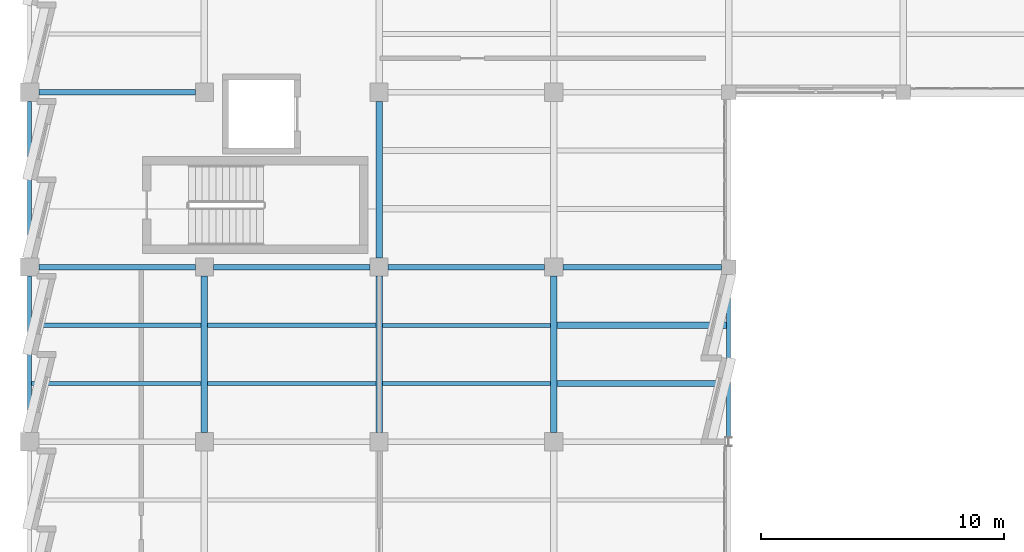
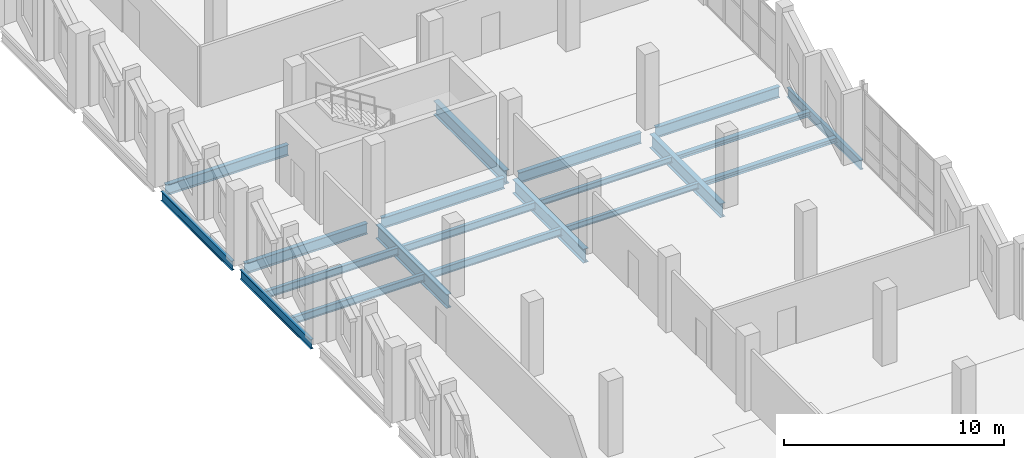
# One storey, part 39 of 94: 20 beams.
"""IFC4 building model written with IfcOpenShell, lengths in metres."""

from ifc_helpers import new_model, si_unit, direction, frame, origin, origin_2d, place, context, subcontext, project, spatial, i_section, extrude, material, material_profile, profile_set, type_object, element, save


model = new_model("IFC4")

# Units and contexts
model_context = context("Model", 3, precision=1e-05, world=origin(), true_north=direction((0.0, 1.0)))
body_context = subcontext(model_context, "Body", "Model", "MODEL_VIEW")
ifc_project = project(units=[si_unit("LENGTHUNIT", "METRE"), si_unit("AREAUNIT", "SQUARE_METRE"), si_unit("VOLUMEUNIT", "CUBIC_METRE"), si_unit("PLANEANGLEUNIT", "RADIAN"), si_unit("MASSUNIT", "GRAM", prefix="KILO")], contexts=[model_context])

# Site, building, storey
site_placement = place(None, origin())
site = spatial("IfcSite", under=ifc_project, at=site_placement, CompositionType="ELEMENT")
building_placement = place(site_placement, origin())
building = spatial("IfcBuilding", under=site, at=building_placement, Name="Kalmorath City Hall", CompositionType="ELEMENT")
storey_placement = place(building_placement, frame((0.0, 0.0, 14.699951171875)))
storey = spatial("IfcBuildingStorey", under=building, at=storey_placement, Name="L03", CompositionType="ELEMENT", Elevation=14.699951171875)

# Beams
ifc_material_1 = material(Name="Steel ASTM A992 Grade 50", Category="steel")
ifc_material_profile_1 = material_profile(ifc_material_1, i_section(OverallWidth=0.177001953125, OverallDepth=0.403076171875, WebThickness=0.007568359375, FlangeThickness=0.010986328125, FilletRadius=0.012939453125, at=origin_2d()), Name="W16X36")
ifc_profile_set_1 = profile_set([ifc_material_profile_1], Name="Steel ASTM A992 Grade 50")
beam_type_1 = type_object("IfcBeamType", Name="Steel composite joist W16X36", PredefinedType="JOIST", material=ifc_profile_set_1)
for number, where, z_axis, x_axis, name in (
    (1, (7.333984375, 81.60009765625, -0.46533203125), (1.0, 0.0, 0.0), (0.0, 1.0, 0.0), "L03 joist SJ7 2.12.1"),
    (2, (7.333984375, 84.0, -0.46533203125), (1.0, 0.0, 0.0), (0.0, 1.0, 0.0), "L03 joist SJ7 2.12.2"),
):
    element("IfcBeam", number, at=place(storey_placement, frame(where, z_axis=z_axis, x_axis=x_axis)), inside=storey, type_object=beam_type_1, Name=name, PredefinedType="JOIST", context=body_context, shape_type="SweptSolid", body=[
        extrude(i_section(OverallWidth=0.177001953125, OverallDepth=0.403076171875, WebThickness=0.007568359375, FlangeThickness=0.010986328125, FilletRadius=0.012939453125, at=origin_2d()), origin(), (0.0, 0.0, 1.0), 6.93212890625),
    ])
ifc_material_2 = material(Name="Steel ASTM A992 Grade 50", Category="steel")
ifc_material_profile_2 = material_profile(ifc_material_2, i_section(OverallWidth=0.178955078125, OverallDepth=0.409912109375, WebThickness=0.0087890625, FlangeThickness=0.014404296875, FilletRadius=0.012939453125, at=origin_2d()), Name="W16X45")
ifc_profile_set_2 = profile_set([ifc_material_profile_2], Name="Steel ASTM A992 Grade 50")
beam_type_2 = type_object("IfcBeamType", Name="Steel composite joist W16X45", PredefinedType="JOIST", material=ifc_profile_set_2)
for number, where, z_axis, x_axis, name in (
    (3, (0.08251953125, 81.60009765625, -0.468994140625), (1.0, 0.0, 0.0), (0.0, 1.0, 0.0), "L03 joist SJ6 1.12.1"),
    (4, (0.08251953125, 84.0, -0.468994140625), (1.0, 0.0, 0.0), (0.0, 1.0, 0.0), "L03 joist SJ6 1.12.2"),
):
    element("IfcBeam", number, at=place(storey_placement, frame(where, z_axis=z_axis, x_axis=x_axis)), inside=storey, type_object=beam_type_2, Name=name, PredefinedType="JOIST", context=body_context, shape_type="SweptSolid", body=[
        extrude(i_section(OverallWidth=0.178955078125, OverallDepth=0.409912109375, WebThickness=0.0087890625, FlangeThickness=0.014404296875, FilletRadius=0.012939453125, at=origin_2d()), origin(), (0.0, 0.0, 1.0), 6.9833984375),
    ])
ifc_material_3 = material(Name="Steel ASTM A992 Grade 50", Category="steel")
ifc_material_profile_3 = material_profile(ifc_material_3, i_section(OverallWidth=0.22802734375, OverallDepth=0.60302734375, WebThickness=0.010498046875, FlangeThickness=0.014892578125, FilletRadius=0.01611328125, at=origin_2d()), Name="W24X68")
ifc_profile_set_3 = profile_set([ifc_material_profile_3], Name="Steel ASTM A992 Grade 50")
beam_type_3 = type_object("IfcBeamType", Name="Steel floor girder W24X68", PredefinedType="BEAM", material=ifc_profile_set_3)
for number, where, z_axis, x_axis, name in (
    (5, (0.375, 86.39990234375, -0.5654296875), (1.0, 0.0, 0.0), (0.0, 1.0, 0.0), "L03 girder SG9 X1-2/13"),
    (6, (7.574951171875, 86.39990234375, -0.5654296875), (1.0, 0.0, 0.0), (0.0, 1.0, 0.0), "L03 girder SG9 X2-3/13"),
):
    element("IfcBeam", number, at=place(storey_placement, frame(where, z_axis=z_axis, x_axis=x_axis)), inside=storey, type_object=beam_type_3, Name=name, PredefinedType="BEAM", context=body_context, shape_type="SweptSolid", body=[
        extrude(i_section(OverallWidth=0.22802734375, OverallDepth=0.60302734375, WebThickness=0.010498046875, FlangeThickness=0.014892578125, FilletRadius=0.01611328125, at=origin_2d()), origin(), (0.0, 0.0, 1.0), 6.449951171875),
    ])
beam_1_placement = place(storey_placement, frame((14.77490234375, 86.39990234375, -0.5654296875), z_axis=(1.0, 0.0, 0.0), x_axis=(0.0, 1.0, 0.0)))
element("IfcBeam", 7, at=beam_1_placement, inside=storey, type_object=beam_type_3, Name="L03 girder SG9 X3-4/13", PredefinedType="BEAM", context=body_context, shape_type="SweptSolid", body=[
    extrude(i_section(OverallWidth=0.22802734375, OverallDepth=0.60302734375, WebThickness=0.010498046875, FlangeThickness=0.014892578125, FilletRadius=0.01611328125, at=origin_2d()), origin(), (0.0, 0.0, 1.0), 6.4501953125),
])
beam_2_placement = place(storey_placement, frame((21.97509765625, 86.39990234375, -0.5654296875), z_axis=(1.0, 0.0, 0.0), x_axis=(0.0, 1.0, 0.0)))
element("IfcBeam", 8, at=beam_2_placement, inside=storey, type_object=beam_type_3, Name="L03 girder SG9 X4-5/13", PredefinedType="BEAM", context=body_context, shape_type="SweptSolid", body=[
    extrude(i_section(OverallWidth=0.22802734375, OverallDepth=0.60302734375, WebThickness=0.010498046875, FlangeThickness=0.014892578125, FilletRadius=0.01611328125, at=origin_2d()), origin(), (0.0, 0.0, 1.0), 6.52490234375),
])
beam_3_placement = place(storey_placement, frame((0.375, 93.60009765625, -0.5654296875), z_axis=(1.0, 0.0, 0.0), x_axis=(0.0, 1.0, 0.0)))
element("IfcBeam", 9, at=beam_3_placement, inside=storey, type_object=beam_type_3, Name="L03 girder SG9 X1-2/14", PredefinedType="BEAM", context=body_context, shape_type="SweptSolid", body=[
    extrude(i_section(OverallWidth=0.22802734375, OverallDepth=0.60302734375, WebThickness=0.010498046875, FlangeThickness=0.014892578125, FilletRadius=0.01611328125, at=origin_2d()), origin(), (0.0, 0.0, 1.0), 6.449951171875),
])
ifc_material_4 = material(Name="Steel ASTM A992 Grade 50", Category="steel")
ifc_material_profile_4 = material_profile(ifc_material_4, i_section(OverallWidth=0.1669921875, OverallDepth=0.318115234375, WebThickness=0.007568359375, FlangeThickness=0.01318359375, FilletRadius=0.012939453125, at=origin_2d()), Name="W12X35")
ifc_profile_set_4 = profile_set([ifc_material_profile_4], Name="Steel ASTM A992 Grade 50")
beam_type_4 = type_object("IfcBeamType", Name="Steel header lintel W12X35", PredefinedType="LINTEL", material=ifc_profile_set_4)
for number, where, z_axis, x_axis, name in (
    (10, (14.533935546875, 81.60009765625, -0.4228515625), (1.0, 0.0, 0.0), (0.0, 1.0, 0.0), "L03 joist SJ13 3.12.1"),
    (11, (14.533935546875, 84.0, -0.4228515625), (1.0, 0.0, 0.0), (0.0, 1.0, 0.0), "L03 joist SJ13 3.12.2"),
):
    element("IfcBeam", number, at=place(storey_placement, frame(where, z_axis=z_axis, x_axis=x_axis)), inside=storey, type_object=beam_type_4, Name=name, PredefinedType="LINTEL", context=body_context, shape_type="SweptSolid", body=[
        extrude(i_section(OverallWidth=0.1669921875, OverallDepth=0.318115234375, WebThickness=0.007568359375, FlangeThickness=0.01318359375, FilletRadius=0.012939453125, at=origin_2d()), origin(), (0.0, 0.0, 1.0), 6.93212890625),
    ])
ifc_material_5 = material(Name="Steel ASTM A992 Grade 50", Category="steel")
ifc_material_profile_5 = material_profile(ifc_material_5, i_section(OverallWidth=0.26806640625, OverallDepth=0.77001953125, WebThickness=0.015625, FlangeThickness=0.025390625, FilletRadius=0.02001953125, at=origin_2d()), Name="W30X132")
ifc_profile_set_5 = profile_set([ifc_material_profile_5], Name="Steel ASTM A992 Grade 50")
beam_type_5 = type_object("IfcBeamType", Name="Steel primary girder W30X132", PredefinedType="BEAM", material=ifc_profile_set_5)
for number, where, z_axis, x_axis, name in (
    (12, (7.199951171875, 79.574951171875, -0.64892578125), (0.0, 1.0, 0.0), (-1.0, 0.0, 0.0), "L03 girder SG3 Y2/12-13"),
    (13, (14.39990234375, 79.574951171875, -0.64892578125), (0.0, 1.0, 0.0), (-1.0, 0.0, 0.0), "L03 girder SG3 Y3/12-13"),
):
    element("IfcBeam", number, at=place(storey_placement, frame(where, z_axis=z_axis, x_axis=x_axis)), inside=storey, type_object=beam_type_5, Name=name, PredefinedType="BEAM", context=body_context, shape_type="SweptSolid", body=[
        extrude(i_section(OverallWidth=0.26806640625, OverallDepth=0.77001953125, WebThickness=0.015625, FlangeThickness=0.025390625, FilletRadius=0.02001953125, at=origin_2d()), origin(), (0.0, 0.0, 1.0), 6.449951171875),
    ])
beam_4_placement = place(storey_placement, frame((14.39990234375, 86.77490234375, -0.64892578125), z_axis=(0.0, 1.0, 0.0), x_axis=(-1.0, 0.0, 0.0)))
element("IfcBeam", 14, at=beam_4_placement, inside=storey, type_object=beam_type_5, Name="L03 girder SG3 Y3/13-14", PredefinedType="BEAM", context=body_context, shape_type="SweptSolid", body=[
    extrude(i_section(OverallWidth=0.26806640625, OverallDepth=0.77001953125, WebThickness=0.015625, FlangeThickness=0.025390625, FilletRadius=0.02001953125, at=origin_2d()), origin(), (0.0, 0.0, 1.0), 6.4501953125),
])
beam_5_placement = place(storey_placement, frame((21.60009765625, 79.574951171875, -0.64892578125), z_axis=(0.0, 1.0, 0.0), x_axis=(-1.0, 0.0, 0.0)))
element("IfcBeam", 15, at=beam_5_placement, inside=storey, type_object=beam_type_5, Name="L03 girder SG3 Y4/12-13", PredefinedType="BEAM", context=body_context, shape_type="SweptSolid", body=[
    extrude(i_section(OverallWidth=0.26806640625, OverallDepth=0.77001953125, WebThickness=0.015625, FlangeThickness=0.025390625, FilletRadius=0.02001953125, at=origin_2d()), origin(), (0.0, 0.0, 1.0), 6.449951171875),
])
ifc_material_6 = material(Name="Steel ASTM A992 Grade 50", Category="steel")
ifc_material_profile_6 = material_profile(ifc_material_6, i_section(OverallWidth=0.1650390625, OverallDepth=0.52490234375, WebThickness=0.0087890625, FlangeThickness=0.011474609375, FilletRadius=0.014892578125, at=origin_2d()), Name="W21X44")
ifc_profile_set_6 = profile_set([ifc_material_profile_6], Name="Steel ASTM A992 Grade 50")
beam_type_6 = type_object("IfcBeamType", Name="Steel spandrel beam W21X44", PredefinedType="SPANDREL", material=ifc_profile_set_6)
beam_6_placement = place(storey_placement, frame((0.0, 79.574951171875, -0.5263671875), z_axis=(0.0, 1.0, 0.0), x_axis=(-1.0, 0.0, 0.0)))
element("IfcBeam", 16, at=beam_6_placement, inside=storey, type_object=beam_type_6, Name="L03 girder SB4 Y1/12-13", PredefinedType="SPANDREL", context=body_context, shape_type="SweptSolid", body=[
    extrude(i_section(OverallWidth=0.1650390625, OverallDepth=0.52490234375, WebThickness=0.0087890625, FlangeThickness=0.011474609375, FilletRadius=0.014892578125, at=origin_2d()), origin(), (0.0, 0.0, 1.0), 6.449951171875),
])
beam_7_placement = place(storey_placement, frame((0.0, 86.77490234375, -0.5263671875), z_axis=(0.0, 1.0, 0.0), x_axis=(-1.0, 0.0, 0.0)))
element("IfcBeam", 17, at=beam_7_placement, inside=storey, type_object=beam_type_6, Name="L03 girder SB4 Y1/13-14", PredefinedType="SPANDREL", context=body_context, shape_type="SweptSolid", body=[
    extrude(i_section(OverallWidth=0.1650390625, OverallDepth=0.52490234375, WebThickness=0.0087890625, FlangeThickness=0.011474609375, FilletRadius=0.014892578125, at=origin_2d()), origin(), (0.0, 0.0, 1.0), 6.4501953125),
])
beam_8_placement = place(storey_placement, frame((28.800048828125, 79.37646484375, -0.5263671875), z_axis=(0.0, 1.0, 0.0), x_axis=(-1.0, 0.0, 0.0)))
element("IfcBeam", 18, at=beam_8_placement, inside=storey, type_object=beam_type_6, Name="L03 girder SB4 Y5/12-13", PredefinedType="SPANDREL", context=body_context, shape_type="SweptSolid", body=[
    extrude(i_section(OverallWidth=0.1650390625, OverallDepth=0.52490234375, WebThickness=0.0087890625, FlangeThickness=0.011474609375, FilletRadius=0.014892578125, at=origin_2d()), origin(), (0.0, 0.0, 1.0), 6.7236328125),
])
ifc_material_7 = material(Name="Steel ASTM A992 Grade 50", Category="steel")
ifc_material_profile_7 = material_profile(ifc_material_7, i_section(OverallWidth=0.25390625, OverallDepth=0.2529296875, WebThickness=0.008544921875, FlangeThickness=0.01416015625, FilletRadius=0.011962890625, at=origin_2d()), Name="W10X49")
ifc_profile_set_7 = profile_set([ifc_material_profile_7], Name="Steel ASTM A992 Grade 50")
beam_type_7 = type_object("IfcBeamType", Name="Steel trimmer beam W10X49", PredefinedType="BEAM", material=ifc_profile_set_7)
for number, where, z_axis, x_axis, name in (
    (19, (21.73388671875, 81.60009765625, -0.390380859375), (1.0, 0.0, 0.0), (0.0, 1.0, 0.0), "L03 joist SJ14 4.12.1"),
    (20, (21.73388671875, 84.0, -0.390380859375), (1.0, 0.0, 0.0), (0.0, 1.0, 0.0), "L03 joist SJ14 4.12.2"),
):
    element("IfcBeam", number, at=place(storey_placement, frame(where, z_axis=z_axis, x_axis=x_axis)), inside=storey, type_object=beam_type_7, Name=name, PredefinedType="BEAM", context=body_context, shape_type="SweptSolid", body=[
        extrude(i_section(OverallWidth=0.25390625, OverallDepth=0.2529296875, WebThickness=0.008544921875, FlangeThickness=0.01416015625, FilletRadius=0.011962890625, at=origin_2d()), origin(), (0.0, 0.0, 1.0), 6.983642578125),
    ])

save(model, "model.ifc")
